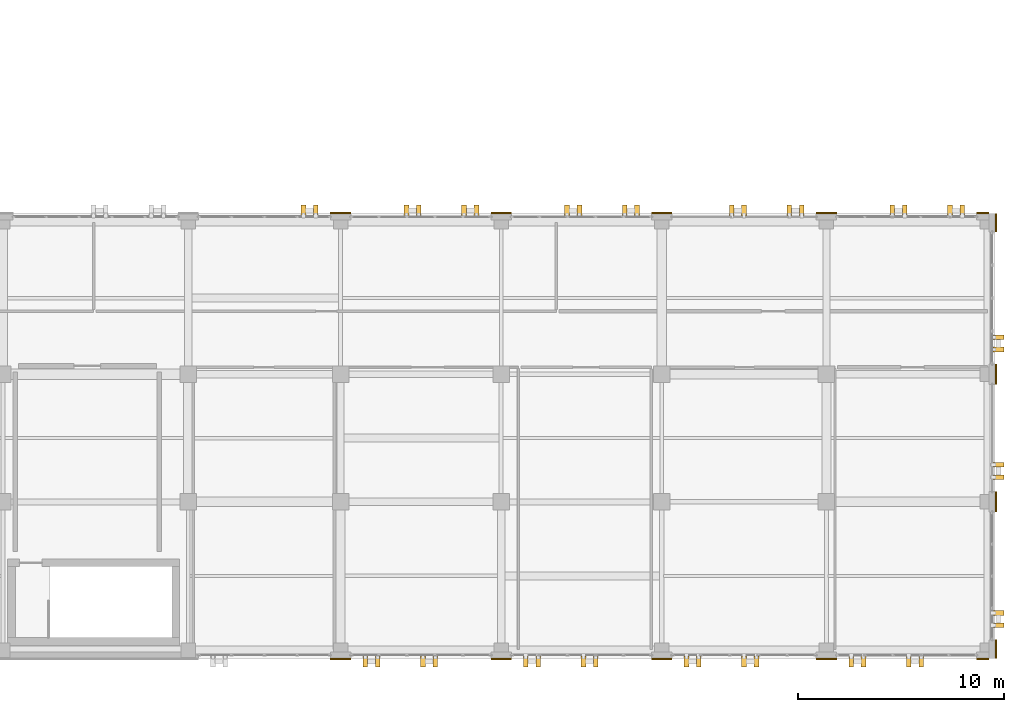
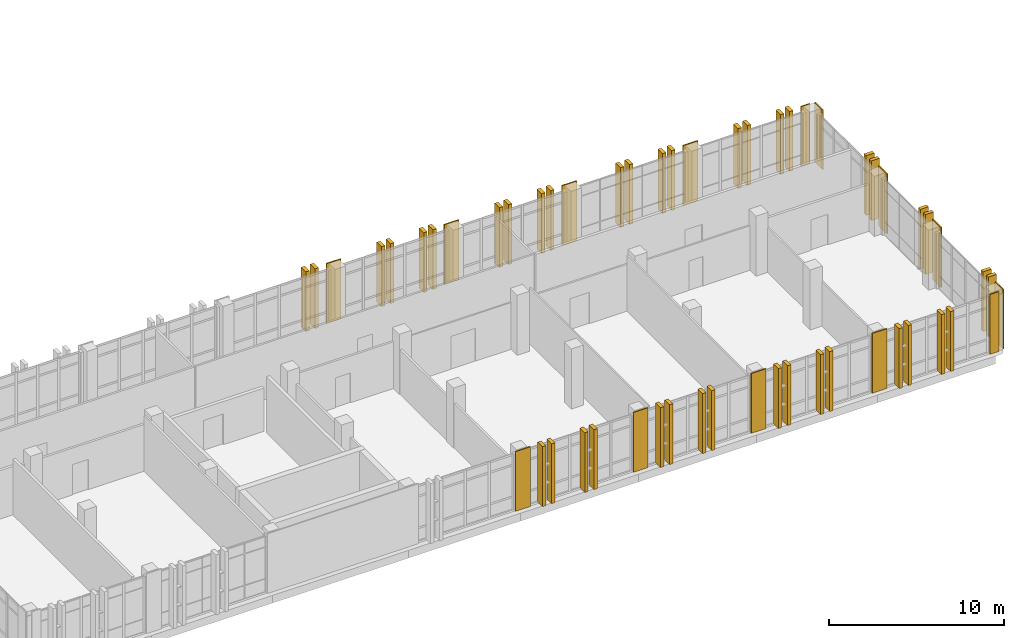
# One storey, part 188 of 193: 54 coverings.
"""IFC4 building model written with IfcOpenShell, lengths in metres."""

from ifc_helpers import new_model, si_unit, direction, frame, origin, origin_2d, place, context, subcontext, project, spatial, rectangle, extrude, material, layer, layer_set, type_object, element, save


model = new_model("IFC4")

# Units and contexts
model_context = context("Model", 3, precision=1e-05, world=origin(), true_north=direction((0.0, 1.0)))
body_context = subcontext(model_context, "Body", "Model", "MODEL_VIEW")
ifc_project = project(units=[si_unit("LENGTHUNIT", "METRE"), si_unit("AREAUNIT", "SQUARE_METRE"), si_unit("VOLUMEUNIT", "CUBIC_METRE"), si_unit("PLANEANGLEUNIT", "RADIAN"), si_unit("MASSUNIT", "GRAM", prefix="KILO")], contexts=[model_context])

# Site, building, storey
site_placement = place(None, origin())
site = spatial("IfcSite", under=ifc_project, at=site_placement, CompositionType="ELEMENT")
building_placement = place(site_placement, origin())
building = spatial("IfcBuilding", under=site, at=building_placement, Name="Qalavern Law Courts", CompositionType="ELEMENT")
storey_placement = place(building_placement, frame((0.0, 0.0, 10.199951171875)))
storey = spatial("IfcBuildingStorey", under=building, at=storey_placement, Name="L02", CompositionType="ELEMENT", Elevation=10.199951171875)

# Coverings
ifc_material = material(Name="Precast concrete C40/50", Category="concrete")
ifc_layer_1 = layer(ifc_material, 0.22998046875)
ifc_layer_set_1 = layer_set([ifc_layer_1], Name="Precast concrete C40/50")
covering_type_1 = type_object("IfcCoveringType", Name="ENV-BLD-2", PredefinedType="CLADDING", material=ifc_layer_set_1)
for number, where, z_axis, x_axis, name in (
    (1, (135.39990234375, 0.844970703125, 0.005126953125), (0.0, 0.0, 1.0), (0.0, -1.0, 0.0), "Absheron stone facade blade 1267"),
    (2, (136.0, 0.844970703125, 0.005126953125), (0.0, 0.0, 1.0), (0.0, -1.0, 0.0), "Absheron stone facade blade 1268"),
    (3, (138.199951171875, 0.844970703125, 0.005126953125), (0.0, 0.0, 1.0), (0.0, -1.0, 0.0), "Absheron stone facade blade 1269"),
    (4, (138.800048828125, 0.844970703125, 0.005126953125), (0.0, 0.0, 1.0), (0.0, -1.0, 0.0), "Absheron stone facade blade 1270"),
    (5, (143.199951171875, 0.844970703125, 0.005126953125), (0.0, 0.0, 1.0), (0.0, -1.0, 0.0), "Absheron stone facade blade 1271"),
    (6, (143.800048828125, 0.844970703125, 0.005126953125), (0.0, 0.0, 1.0), (0.0, -1.0, 0.0), "Absheron stone facade blade 1272"),
    (7, (146.0, 0.844970703125, 0.005126953125), (0.0, 0.0, 1.0), (0.0, -1.0, 0.0), "Absheron stone facade blade 1273"),
    (8, (146.60009765625, 0.844970703125, 0.005126953125), (0.0, 0.0, 1.0), (0.0, -1.0, 0.0), "Absheron stone facade blade 1274"),
    (9, (151.0, 0.844970703125, 0.005126953125), (0.0, 0.0, 1.0), (0.0, -1.0, 0.0), "Absheron stone facade blade 1275"),
    (10, (151.60009765625, 0.844970703125, 0.005126953125), (0.0, 0.0, 1.0), (0.0, -1.0, 0.0), "Absheron stone facade blade 1276"),
    (11, (153.800048828125, 0.844970703125, 0.005126953125), (0.0, 0.0, 1.0), (0.0, -1.0, 0.0), "Absheron stone facade blade 1277"),
    (12, (154.39990234375, 0.844970703125, 0.005126953125), (0.0, 0.0, 1.0), (0.0, -1.0, 0.0), "Absheron stone facade blade 1278"),
    (13, (159.0, 0.844970703125, 0.005126953125), (0.0, 0.0, 1.0), (0.0, -1.0, 0.0), "Absheron stone facade blade 1279"),
    (14, (159.60009765625, 0.844970703125, 0.005126953125), (0.0, 0.0, 1.0), (0.0, -1.0, 0.0), "Absheron stone facade blade 1280"),
    (15, (161.800048828125, 0.844970703125, 0.005126953125), (0.0, 0.0, 1.0), (0.0, -1.0, 0.0), "Absheron stone facade blade 1281"),
    (16, (162.39990234375, 0.844970703125, 0.005126953125), (0.0, 0.0, 1.0), (0.0, -1.0, 0.0), "Absheron stone facade blade 1282"),
    (17, (166.155029296875, 2.60009765625, 0.005126953125), (0.0, 0.0, 1.0), (1.0, 0.0, 0.0), "Absheron stone facade blade 1283"),
    (18, (166.155029296875, 3.199951171875, 0.005126953125), (0.0, 0.0, 1.0), (1.0, 0.0, 0.0), "Absheron stone facade blade 1284"),
    (19, (166.155029296875, 9.800048828125, 0.005126953125), (0.0, 0.0, 1.0), (1.0, 0.0, 0.0), "Absheron stone facade blade 1285"),
    (20, (166.155029296875, 10.39990234375, 0.005126953125), (0.0, 0.0, 1.0), (1.0, 0.0, 0.0), "Absheron stone facade blade 1286"),
    (21, (166.155029296875, 16.0, 0.005126953125), (0.0, 0.0, 1.0), (1.0, 0.0, 0.0), "Absheron stone facade blade 1287"),
    (22, (166.155029296875, 16.60009765625, 0.005126953125), (0.0, 0.0, 1.0), (1.0, 0.0, 0.0), "Absheron stone facade blade 1288"),
    (23, (164.39990234375, 22.7548828125, 0.005126953125), (0.0, 0.0, 1.0), (0.0, 1.0, 0.0), "Absheron stone facade blade 1289"),
    (24, (163.800048828125, 22.7548828125, 0.005126953125), (0.0, 0.0, 1.0), (0.0, 1.0, 0.0), "Absheron stone facade blade 1290"),
    (25, (161.60009765625, 22.7548828125, 0.005126953125), (0.0, 0.0, 1.0), (0.0, 1.0, 0.0), "Absheron stone facade blade 1291"),
    (26, (161.0, 22.7548828125, 0.005126953125), (0.0, 0.0, 1.0), (0.0, 1.0, 0.0), "Absheron stone facade blade 1292"),
    (27, (156.60009765625, 22.7548828125, 0.005126953125), (0.0, 0.0, 1.0), (0.0, 1.0, 0.0), "Absheron stone facade blade 1293"),
    (28, (156.0, 22.7548828125, 0.005126953125), (0.0, 0.0, 1.0), (0.0, 1.0, 0.0), "Absheron stone facade blade 1294"),
    (29, (153.800048828125, 22.7548828125, 0.005126953125), (0.0, 0.0, 1.0), (0.0, 1.0, 0.0), "Absheron stone facade blade 1295"),
    (30, (153.199951171875, 22.7548828125, 0.005126953125), (0.0, 0.0, 1.0), (0.0, 1.0, 0.0), "Absheron stone facade blade 1296"),
    (31, (148.60009765625, 22.7548828125, 0.005126953125), (0.0, 0.0, 1.0), (0.0, 1.0, 0.0), "Absheron stone facade blade 1297"),
    (32, (148.0, 22.7548828125, 0.005126953125), (0.0, 0.0, 1.0), (0.0, 1.0, 0.0), "Absheron stone facade blade 1298"),
    (33, (145.800048828125, 22.7548828125, 0.005126953125), (0.0, 0.0, 1.0), (0.0, 1.0, 0.0), "Absheron stone facade blade 1299"),
    (34, (145.199951171875, 22.7548828125, 0.005126953125), (0.0, 0.0, 1.0), (0.0, 1.0, 0.0), "Absheron stone facade blade 1300"),
    (35, (140.800048828125, 22.7548828125, 0.005126953125), (0.0, 0.0, 1.0), (0.0, 1.0, 0.0), "Absheron stone facade blade 1301"),
    (36, (140.199951171875, 22.7548828125, 0.005126953125), (0.0, 0.0, 1.0), (0.0, 1.0, 0.0), "Absheron stone facade blade 1302"),
    (37, (138.0, 22.7548828125, 0.005126953125), (0.0, 0.0, 1.0), (0.0, 1.0, 0.0), "Absheron stone facade blade 1303"),
    (38, (137.39990234375, 22.7548828125, 0.005126953125), (0.0, 0.0, 1.0), (0.0, 1.0, 0.0), "Absheron stone facade blade 1304"),
    (39, (133.0, 22.7548828125, 0.005126953125), (0.0, 0.0, 1.0), (0.0, 1.0, 0.0), "Absheron stone facade blade 1305"),
    (40, (132.39990234375, 22.7548828125, 0.005126953125), (0.0, 0.0, 1.0), (0.0, 1.0, 0.0), "Absheron stone facade blade 1306"),
):
    element("IfcCovering", number, at=place(storey_placement, frame(where, z_axis=z_axis, x_axis=x_axis)), inside=storey, type_object=covering_type_1, Name=name, PredefinedType="CLADDING", context=body_context, shape_type="SweptSolid", body=[
        extrude(rectangle(XDim=0.5400390625, YDim=0.22998046875, at=origin_2d()), origin(), (0.0, 0.0, 1.0), 4.18994140625),
    ])
ifc_layer_2 = layer(ifc_material, 0.072021484375)
ifc_layer_set_2 = layer_set([ifc_layer_2], Name="Precast concrete C40/50")
covering_type_2 = type_object("IfcCoveringType", Name="ENV-CLD-2", PredefinedType="CLADDING", material=ifc_layer_set_2)
for number, where, z_axis, x_axis, name in (
    (41, (134.199951171875, 0.967041015625, 0.01025390625), (0.0, 0.0, 1.0), (1.0, 0.0, 0.0), "V6 Absheron limestone pier facing L02 south 4"),
    (42, (142.0, 0.967041015625, 0.01025390625), (0.0, 0.0, 1.0), (1.0, 0.0, 0.0), "V6 Absheron limestone pier facing L02 south 5"),
    (43, (149.800048828125, 0.967041015625, 0.01025390625), (0.0, 0.0, 1.0), (1.0, 0.0, 0.0), "V6 Absheron limestone pier facing L02 south 6"),
    (44, (157.800048828125, 0.967041015625, 0.01025390625), (0.0, 0.0, 1.0), (1.0, 0.0, 0.0), "V6 Absheron limestone pier facing L02 south 7"),
):
    element("IfcCovering", number, at=place(storey_placement, frame(where, z_axis=z_axis, x_axis=x_axis)), inside=storey, type_object=covering_type_2, Name=name, PredefinedType="CLADDING", context=body_context, shape_type="SweptSolid", body=[
        extrude(rectangle(XDim=0.97998046875, YDim=0.072021484375, at=origin_2d()), origin(), (0.0, 0.0, 1.0), 4.179931640625),
    ])
covering_1_placement = place(storey_placement, frame((165.3974609375, 0.967041015625, 0.01025390625), z_axis=(0.0, 0.0, 1.0), x_axis=(1.0, 0.0, 0.0)))
element("IfcCovering", 45, at=covering_1_placement, inside=storey, type_object=covering_type_2, Name="V6 Absheron limestone pier facing L02 south 8", PredefinedType="CLADDING", context=body_context, shape_type="SweptSolid", body=[
    extrude(rectangle(XDim=0.574951171875, YDim=0.072021484375, at=origin_2d()), origin(), (0.0, 0.0, 1.0), 4.179931640625),
])
covering_2_placement = place(storey_placement, frame((166.032958984375, 1.449951171875, 0.01025390625), z_axis=(0.0, 0.0, 1.0), x_axis=(0.0, 1.0, 0.0)))
element("IfcCovering", 46, at=covering_2_placement, inside=storey, type_object=covering_type_2, Name="V6 Absheron limestone pier facing L02 east 1", PredefinedType="CLADDING", context=body_context, shape_type="SweptSolid", body=[
    extrude(rectangle(XDim=0.8798828125, YDim=0.072021484375, at=origin_2d()), origin(), (0.0, 0.0, 1.0), 4.179931640625),
])
for number, where, z_axis, x_axis, name in (
    (47, (166.032958984375, 8.60009765625, 0.01025390625), (0.0, 0.0, 1.0), (0.0, 1.0, 0.0), "V6 Absheron limestone pier facing L02 east 2"),
    (48, (166.032958984375, 14.800048828125, 0.01025390625), (0.0, 0.0, 1.0), (0.0, 1.0, 0.0), "V6 Absheron limestone pier facing L02 east 3"),
):
    element("IfcCovering", number, at=place(storey_placement, frame(where, z_axis=z_axis, x_axis=x_axis)), inside=storey, type_object=covering_type_2, Name=name, PredefinedType="CLADDING", context=body_context, shape_type="SweptSolid", body=[
        extrude(rectangle(XDim=0.97998046875, YDim=0.072021484375, at=origin_2d()), origin(), (0.0, 0.0, 1.0), 4.179931640625),
    ])
covering_3_placement = place(storey_placement, frame((166.032958984375, 22.14990234375, 0.01025390625), z_axis=(0.0, 0.0, 1.0), x_axis=(0.0, 1.0, 0.0)))
element("IfcCovering", 49, at=covering_3_placement, inside=storey, type_object=covering_type_2, Name="V6 Absheron limestone pier facing L02 east 4", PredefinedType="CLADDING", context=body_context, shape_type="SweptSolid", body=[
    extrude(rectangle(XDim=0.8798828125, YDim=0.072021484375, at=origin_2d()), origin(), (0.0, 0.0, 1.0), 4.179931640625),
])
covering_4_placement = place(storey_placement, frame((165.3974609375, 22.633056640625, 0.01025390625), z_axis=(0.0, 0.0, 1.0), x_axis=(-1.0, 0.0, 0.0)))
element("IfcCovering", 50, at=covering_4_placement, inside=storey, type_object=covering_type_2, Name="V6 Absheron limestone pier facing L02 north 1", PredefinedType="CLADDING", context=body_context, shape_type="SweptSolid", body=[
    extrude(rectangle(XDim=0.574951171875, YDim=0.072021484375, at=origin_2d()), origin(), (0.0, 0.0, 1.0), 4.179931640625),
])
for number, where, z_axis, x_axis, name in (
    (51, (157.800048828125, 22.633056640625, 0.01025390625), (0.0, 0.0, 1.0), (-1.0, 0.0, 0.0), "V6 Absheron limestone pier facing L02 north 2"),
    (52, (149.800048828125, 22.633056640625, 0.01025390625), (0.0, 0.0, 1.0), (-1.0, 0.0, 0.0), "V6 Absheron limestone pier facing L02 north 3"),
    (53, (142.0, 22.633056640625, 0.01025390625), (0.0, 0.0, 1.0), (-1.0, 0.0, 0.0), "V6 Absheron limestone pier facing L02 north 4"),
    (54, (134.199951171875, 22.633056640625, 0.01025390625), (0.0, 0.0, 1.0), (-1.0, 0.0, 0.0), "V6 Absheron limestone pier facing L02 north 5"),
):
    element("IfcCovering", number, at=place(storey_placement, frame(where, z_axis=z_axis, x_axis=x_axis)), inside=storey, type_object=covering_type_2, Name=name, PredefinedType="CLADDING", context=body_context, shape_type="SweptSolid", body=[
        extrude(rectangle(XDim=0.97998046875, YDim=0.072021484375, at=origin_2d()), origin(), (0.0, 0.0, 1.0), 4.179931640625),
    ])

save(model, "model.ifc")
